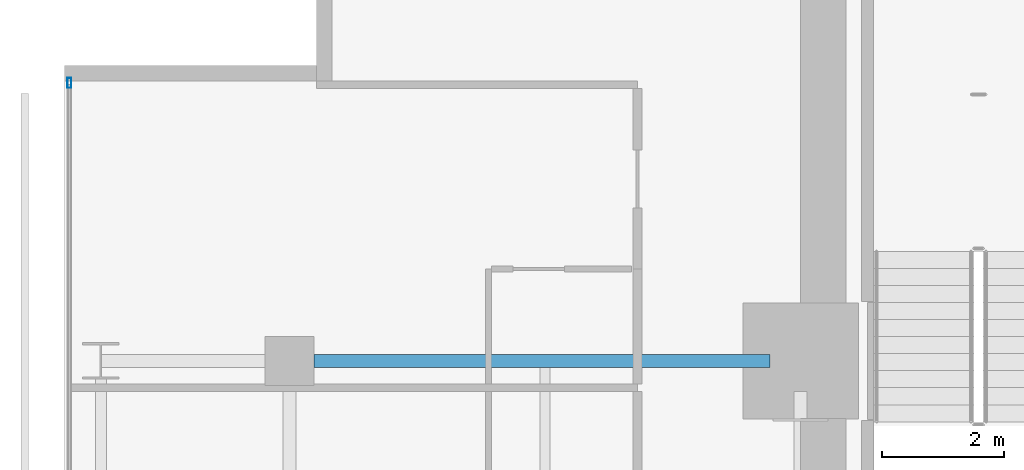
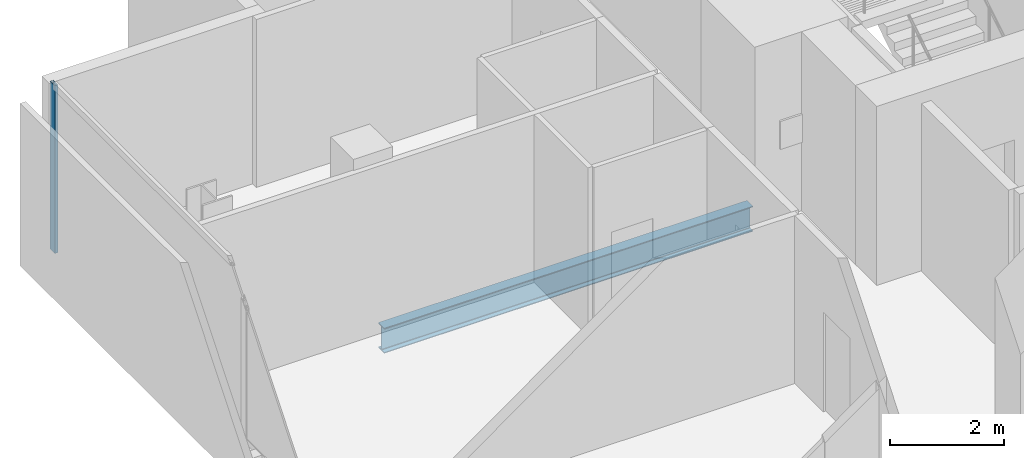
# One storey, part 20 of 34: 1 beam, 1 member, 1 element without a shape of its own.
"""IFC4 building model written with IfcOpenShell, lengths in metres."""

import ifcopenshell
import ifcopenshell.guid

model = None  # the IFC model being written
_history = None  # IfcOwnerHistory: only IFC2X3 demands one
_inside = {}  # id of a spatial element -> (the spatial element, [elements in it])
_under = {}  # id of a project, library or spatial element -> (it, [spatial elements below it])
_declared = {}  # id of a project -> (the project, [libraries it declares])
_typed = {}  # id of a type object -> (the type object, [elements of that type])
_made_of = {}  # id of a material, layer set ... -> (it, [elements and type objects made of it])


def new_model(schema):
    """Start an empty IFC model of exactly this schema.

    Asked for "IFC4X3", IfcOpenShell would pick the latest addendum, in which some entities
    have other attributes; the version numbers below select the first issue.
    IFC2X3 requires an IfcOwnerHistory on every rooted entity: one is made here for all.
    """
    global model, _history
    if schema == "IFC4X3":
        model = ifcopenshell.file(schema_version=(4, 3, 0, 0))
    else:
        model = ifcopenshell.file(schema=schema)
    _inside.clear()
    _under.clear()
    _declared.clear()
    _typed.clear()
    _made_of.clear()
    _history = None
    if model.schema == "IFC2X3":
        org = make("IfcOrganization", Name="unknown")
        user = make(
            "IfcPersonAndOrganization",
            ThePerson=make("IfcPerson", FamilyName="unknown"),
            TheOrganization=org,
        )
        app = make(
            "IfcApplication",
            ApplicationDeveloper=org,
            Version="unknown",
            ApplicationFullName="unknown",
            ApplicationIdentifier="unknown",
        )
        _history = make(
            "IfcOwnerHistory",
            OwningUser=user,
            OwningApplication=app,
            ChangeAction="ADDED",
            CreationDate=0,
        )
    return model


def make(cls, **values):
    """One entity of the class cls with the attributes given. An attribute that is None is left unset."""
    return model.create_entity(
        cls, **{name: value for name, value in values.items() if value is not None}
    )


def rooted(cls, **values):
    """An entity with a GlobalId (a new one), such as an element, a storey or a relation."""
    return make(cls, GlobalId=ifcopenshell.guid.new(), OwnerHistory=_history, **values)


def si_unit(unit_type, name, prefix=None):
    """IfcSIUnit, for example si_unit("LENGTHUNIT", "METRE", prefix="MILLI")."""
    return make("IfcSIUnit", UnitType=unit_type, Prefix=prefix, Name=name)


def assignment(units):
    """IfcUnitAssignment: the units of a project."""
    return None if units is None else make("IfcUnitAssignment", Units=units)


def point(xyz):
    """IfcCartesianPoint."""
    return None if xyz is None else make("IfcCartesianPoint", Coordinates=xyz)


def direction(xyz):
    """IfcDirection."""
    return None if xyz is None else make("IfcDirection", DirectionRatios=xyz)


def frame(location, z_axis=None, x_axis=None):
    """IfcAxis2Placement3D, a coordinate frame: its origin and axes. An axis left out is left unset."""
    return make(
        "IfcAxis2Placement3D",
        Location=point(location),
        Axis=direction(z_axis),
        RefDirection=direction(x_axis),
    )


def frame_2d(location, x_axis=None):
    """IfcAxis2Placement2D, a coordinate frame in the plane: its origin and x axis."""
    return make(
        "IfcAxis2Placement2D", Location=point(location), RefDirection=direction(x_axis)
    )


def origin():
    """The frame at (0, 0, 0) with its axes left unset."""
    return frame((0.0, 0.0, 0.0))


def origin_2d():
    """The frame at (0, 0) in the plane with its x axis left unset."""
    return frame_2d((0.0, 0.0))


def place(relative_to, where):
    """IfcLocalPlacement: puts the frame where relative to a parent placement (None: the world)."""
    return make(
        "IfcLocalPlacement", PlacementRelTo=relative_to, RelativePlacement=where
    )


def context(
    kind, dimensions, precision=None, world=None, true_north=None, identifier=None
):
    """IfcGeometricRepresentationContext, for example the 3D "Model" context."""
    return make(
        "IfcGeometricRepresentationContext",
        ContextIdentifier=identifier,
        ContextType=kind,
        CoordinateSpaceDimension=dimensions,
        Precision=precision,
        WorldCoordinateSystem=world,
        TrueNorth=true_north,
    )


def subcontext(parent, identifier, kind, view, scale=None):
    """IfcGeometricRepresentationSubContext, for example "Body" below "Model"."""
    return make(
        "IfcGeometricRepresentationSubContext",
        ContextIdentifier=identifier,
        ContextType=kind,
        ParentContext=parent,
        TargetScale=scale,
        TargetView=view,
    )


def project(units=None, contexts=None):
    """IfcProject with its units and contexts."""
    return rooted(
        "IfcProject",
        Name="project",
        RepresentationContexts=contexts,
        UnitsInContext=assignment(units),
    )


def spatial(cls, under=None, at=None, **own):
    """A site, building, storey or space (cls), placed at a placement, below another one or the project."""
    s = rooted(cls, ObjectPlacement=at, **own)
    if under is not None:
        _under.setdefault(under.id(), (under, []))[1].append(s)
    return s


def profile(cls, at=None, kind="AREA", **sizes):
    """A parametric profile (cls). Its sizes go by their IFC names, for example OverallWidth=200.0."""
    return make(cls, ProfileType=kind, Position=at, **sizes)


def hollow_rectangle(**sizes):
    """IfcRectangleHollowProfileDef."""
    return profile("IfcRectangleHollowProfileDef", **sizes)


def i_section(**sizes):
    """IfcIShapeProfileDef."""
    return profile("IfcIShapeProfileDef", **sizes)


def extrude(swept, where, along, depth):
    """IfcExtrudedAreaSolid: the profile swept, set in the frame where, extruded along a direction by depth."""
    return make(
        "IfcExtrudedAreaSolid",
        SweptArea=swept,
        Position=where,
        ExtrudedDirection=direction(along),
        Depth=depth,
    )


def shape(context_of_items, identifier, shape_type, items):
    """IfcShapeRepresentation: the items that make up one representation, for example the "Body"."""
    return make(
        "IfcShapeRepresentation",
        ContextOfItems=context_of_items,
        RepresentationIdentifier=identifier,
        RepresentationType=shape_type,
        Items=items,
    )


def material(Name=None, Category=None):
    """IfcMaterial."""
    return make("IfcMaterial", Name=Name, Category=Category)


def layer(
    of_material, thickness, ventilated=None, Name=None, Category=None, Priority=None
):
    """IfcMaterialLayer: one layer of a wall or slab, of a material (None: an air gap)."""
    return make(
        "IfcMaterialLayer",
        Material=of_material,
        LayerThickness=thickness,
        IsVentilated=ventilated,
        Name=Name,
        Category=Category,
        Priority=Priority,
    )


def layer_set(layers, Name=None):
    """IfcMaterialLayerSet."""
    return make("IfcMaterialLayerSet", MaterialLayers=layers, LayerSetName=Name)


def material_profile(
    of_material, cross_section, Name=None, Category=None, Priority=None
):
    """IfcMaterialProfile: a cross section and its material."""
    return make(
        "IfcMaterialProfile",
        Name=Name,
        Material=of_material,
        Profile=cross_section,
        Priority=Priority,
        Category=Category,
    )


def profile_set(profiles, Name=None, composite=None):
    """IfcMaterialProfileSet."""
    return make(
        "IfcMaterialProfileSet",
        Name=Name,
        MaterialProfiles=profiles,
        CompositeProfile=composite,
    )


def made_of(thing, what):
    """Note that an element or type object is made of a material, layer set ...; save() writes the relation."""
    if what is not None:
        _made_of.setdefault(what.id(), (what, []))[1].append(thing)
    return thing


def type_object(cls, material=None, **own):
    """A type object (cls), such as IfcWallType, which elements share."""
    return made_of(rooted(cls, **own), material)


def element(
    cls,
    number,
    at=None,
    inside=None,
    cuts=None,
    type_object=None,
    material=None,
    context=None,
    identifier="Body",
    shape_type=None,
    held_by="IfcProductDefinitionShape",
    body=None,
    shapes=None,
    **own,
):
    """One element of the class cls, such as IfcWall. Its Tag is "e" and its number.

    at: its placement. inside: the storey or other place that contains it. cuts: it is an
    opening in that element (IfcRelVoidsElement). A single representation is given by context,
    identifier, shape_type and body (its items); several are given by shapes. held_by: the class
    of the entity that holds the representations. save() writes the other relations.
    """
    e = rooted(cls, Tag="e%d" % number, ObjectPlacement=at, **own)
    if body is not None:
        shapes = [shape(context, identifier, shape_type, body)]
    if shapes is not None:
        e.Representation = make(held_by, Representations=shapes)
    if inside is not None:
        _inside.setdefault(inside.id(), (inside, []))[1].append(e)
    if cuts is not None:
        rooted(
            "IfcRelVoidsElement", RelatingBuildingElement=cuts, RelatedOpeningElement=e
        )
    if type_object is not None:
        _typed.setdefault(type_object.id(), (type_object, []))[1].append(e)
    return made_of(e, material)


def aggregate(whole, parts):
    """IfcRelAggregates: a whole, such as a stair, and the parts it consists of."""
    return rooted("IfcRelAggregates", RelatingObject=whole, RelatedObjects=parts)


def save(model, path):
    """Write the relations noted so far, then the file.

    IfcRelAggregates (storeys below a building ...), IfcRelContainedInSpatialStructure (elements
    in a storey), IfcRelDefinesByType, IfcRelAssociatesMaterial and IfcRelDeclares: one each for
    every whole, place, type object, material and project.
    """
    for whole, parts in _under.values():
        aggregate(whole, parts)
    for where, things in _inside.values():
        rooted(
            "IfcRelContainedInSpatialStructure",
            RelatedElements=things,
            RelatingStructure=where,
        )
    for kind, things in _typed.values():
        rooted("IfcRelDefinesByType", RelatedObjects=things, RelatingType=kind)
    for what, things in _made_of.values():
        rooted("IfcRelAssociatesMaterial", RelatedObjects=things, RelatingMaterial=what)
    for by, libraries in _declared.values():
        rooted("IfcRelDeclares", RelatingContext=by, RelatedDefinitions=libraries)
    model.write(path)


model = new_model("IFC4")

# Units and contexts
model_context = context("Model", 3, precision=1e-05, world=origin(), true_north=direction((0.0, 1.0)))
body_context = subcontext(model_context, "Body", "Model", "MODEL_VIEW")
ifc_project = project(units=[si_unit("LENGTHUNIT", "METRE"), si_unit("AREAUNIT", "SQUARE_METRE"), si_unit("VOLUMEUNIT", "CUBIC_METRE"), si_unit("PLANEANGLEUNIT", "RADIAN"), si_unit("MASSUNIT", "GRAM", prefix="KILO")], contexts=[model_context])

# Site, building, storey
site_placement = place(None, origin())
site = spatial("IfcSite", under=ifc_project, at=site_placement, CompositionType="ELEMENT")
building_placement = place(site_placement, origin())
building = spatial("IfcBuilding", under=site, at=building_placement, Name="Maruvema Waterfront Hotel and Observation Tower", CompositionType="ELEMENT")
storey_placement = place(building_placement, frame((0.0, 0.0, 208.25)))
storey = spatial("IfcBuildingStorey", under=building, at=storey_placement, Name="L51", CompositionType="ELEMENT", Elevation=208.25)

# Curtain wall, member
ifc_material_1 = material(Name="Anodised bronze aluminium and solar-control low-E IGU", Category="aluminium")
ifc_layer = layer(ifc_material_1, 0.159912109375, Name="Zone 2 Amber Inner Thermal Curtain Wall System CW-03")
ifc_layer_set = layer_set([ifc_layer], Name="Anodised bronze aluminium and solar-control low-E IGU")
curtain_wall_type = type_object("IfcCurtainWallType", Name="Zone 2 Amber Inner Thermal Curtain Wall System CW-03", PredefinedType="USERDEFINED", material=ifc_layer_set)
curtain_wall_placement = place(storey_placement, origin())
curtain_wall = element("IfcCurtainWall", 1, at=curtain_wall_placement, inside=storey, type_object=curtain_wall_type, Name="L51 Curtain Wall CW-L51-W", ObjectType="UNITISED CURTAIN WALL", PredefinedType="USERDEFINED")
ifc_material_2 = material(Name="Anodised architectural bronze aluminium", Category="aluminium")
ifc_material_profile_1 = material_profile(ifc_material_2, hollow_rectangle(XDim=0.06494140625, YDim=0.1650390625, WallThickness=0.00390625, at=origin_2d()), Name="ALU-M65x165")
ifc_profile_set_1 = profile_set([ifc_material_profile_1], Name="Anodised architectural bronze aluminium")
member_type = type_object("IfcMemberType", Name="Curtain Wall Primary Mullion ALU-M65x165", PredefinedType="MULLION", material=ifc_profile_set_1)
member_placement = place(storey_placement, frame((13.179931640625, 49.570068359375, 0.0), z_axis=(0.0, 0.0, 1.0), x_axis=(1.0, 0.0, 0.0)))
member = element("IfcMember", 2, at=member_placement, type_object=member_type, Name="CW-03 mullion 1", PredefinedType="MULLION", context=body_context, shape_type="SweptSolid", body=[
    extrude(hollow_rectangle(XDim=0.06494140625, YDim=0.1650390625, WallThickness=0.00390625, at=origin_2d()), origin(), (0.0, 0.0, 1.0), 3.610107421875),
])
aggregate(curtain_wall, [member])

# Beam
ifc_material_3 = material(Name="Steel ASTM A572 Grade 50", Category="steel")
ifc_material_profile_2 = material_profile(ifc_material_3, i_section(OverallWidth=0.2109375, OverallDepth=0.5390625, WebThickness=0.01171875, FlangeThickness=0.018798828125, FilletRadius=0.014892578125, at=origin_2d()), Name="W530x109.0")
ifc_profile_set_2 = profile_set([ifc_material_profile_2], Name="Steel ASTM A572 Grade 50")
beam_type = type_object("IfcBeamType", Name="Primary Floor Girder W530x109.0", PredefinedType="BEAM", material=ifc_profile_set_2)
beam_placement = place(storey_placement, frame((17.199951171875, 45.0, -0.509521484375), z_axis=(1.0, 0.0, 0.0), x_axis=(0.0, 1.0, 0.0)))
element("IfcBeam", 3, at=beam_placement, inside=storey, type_object=beam_type, Name="L51 Floor Girder EW-31", PredefinedType="BEAM", context=body_context, shape_type="SweptSolid", body=[
    extrude(i_section(OverallWidth=0.2109375, OverallDepth=0.5390625, WebThickness=0.01171875, FlangeThickness=0.018798828125, FilletRadius=0.014892578125, at=origin_2d()), origin(), (0.0, 0.0, 1.0), 7.5),
])

save(model, "model.ifc")
